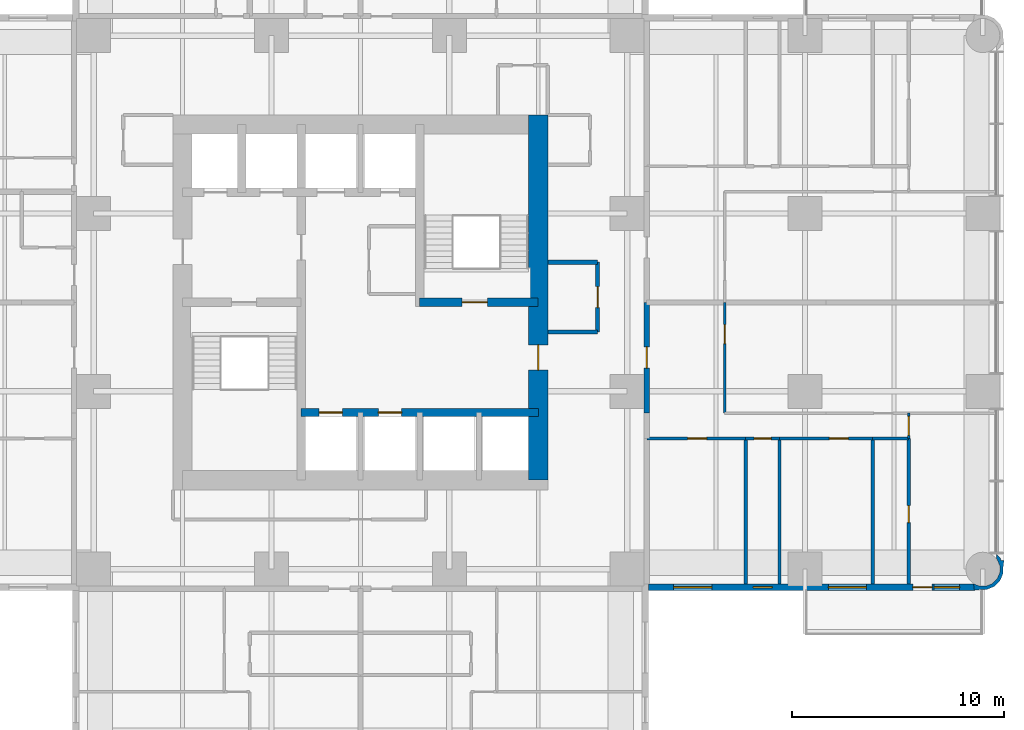
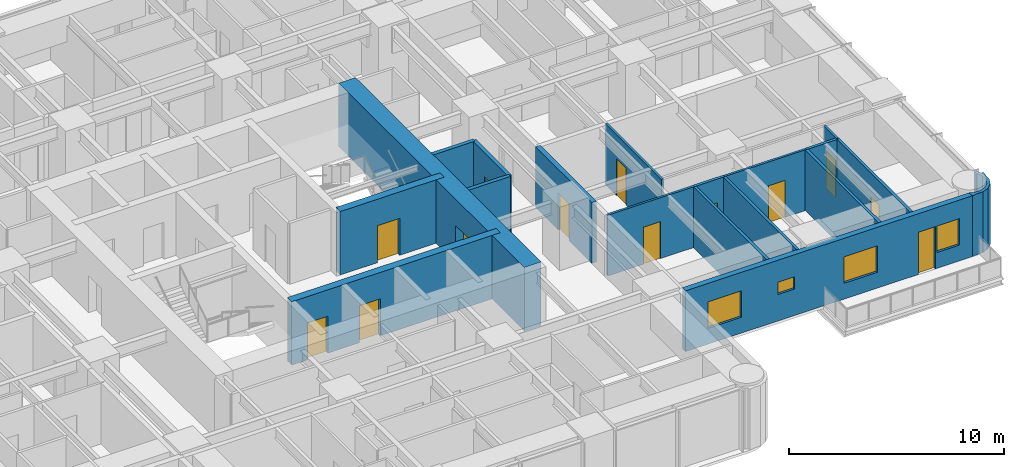
# One storey, part 9 of 14: 19 walls, 13 doors, 4 windows, 17 openings.
"""IFC4 building model written with IfcOpenShell, lengths in metres."""

from ifc_helpers import new_model, si_unit, direction, frame, frame_2d, origin, place, context, subcontext, project, spatial, polyline, rectangle, outline, extrude, material, layer, layer_set, type_object, element, fill, save


model = new_model("IFC4")

# Units and contexts
model_context = context("Model", 3, precision=1e-05, world=origin(), true_north=direction((0.0, 1.0)))
body_context = subcontext(model_context, "Body", "Model", "MODEL_VIEW")
ifc_project = project(units=[si_unit("LENGTHUNIT", "METRE"), si_unit("AREAUNIT", "SQUARE_METRE"), si_unit("VOLUMEUNIT", "CUBIC_METRE"), si_unit("PLANEANGLEUNIT", "RADIAN"), si_unit("MASSUNIT", "GRAM", prefix="KILO")], contexts=[model_context])

# Site, building, storey
site_placement = place(None, origin())
site = spatial("IfcSite", under=ifc_project, at=site_placement, CompositionType="ELEMENT")
building_placement = place(site_placement, origin())
building = spatial("IfcBuilding", under=site, at=building_placement, Name="Torre Alcanfor", CompositionType="ELEMENT")
storey_placement = place(building_placement, frame((0.0, 0.0, 130.5)))
storey = spatial("IfcBuildingStorey", under=building, at=storey_placement, Name="L33", CompositionType="ELEMENT", Elevation=130.5)

# Wall, opening, door
ifc_material_1 = material(Name="Concrete block masonry, hollow blocks NMX-C-404 9 MPa", Category="masonry")
ifc_layer_1 = layer(ifc_material_1, 0.25)
ifc_layer_set_1 = layer_set([ifc_layer_1], Name="Apartment entrance wall 250 EI 60")
wall_type_1 = type_object("IfcWallType", Name="Apartment entrance wall 250 EI 60", PredefinedType="PARTITIONING", material=ifc_layer_set_1)
wall_1_placement = place(storey_placement, frame((42.925048828125, 29.39990234375, 0.0), z_axis=(0.0, 0.0, 1.0), x_axis=(0.0, -1.0, 0.0)))
wall_1 = element("IfcWall", 1, at=wall_1_placement, inside=storey, type_object=wall_type_1, Name="Partition L33-CORR / L33-E2-ZAG", PredefinedType="PARTITIONING", context=body_context, shape_type="SweptSolid", body=[
    extrude(rectangle(XDim=5.22900390625, YDim=0.25, at=frame_2d((2.614501953125, 0.0))), origin(), (0.0, 0.0, 1.0), 3.449951171875),
])
opening_1_placement = place(wall_1_placement, frame((2.10009765625, 0.0, 0.0)))
opening_1 = element("IfcOpeningElement", 2, at=opening_1_placement, cuts=wall_1, Name="Opening D-A1", PredefinedType="OPENING", context=body_context, shape_type="SweptSolid", body=[
    extrude(rectangle(XDim=1.0, YDim=2.10009765625, at=frame_2d((0.5, 1.050048828125))), frame((0.0, 0.135009765625, 0.0), z_axis=(0.0, -1.0, 0.0), x_axis=(1.0, 0.0, 0.0)), (0.0, 0.0, 1.0), 0.27001953125),
])
ifc_material_2 = material(Name="Galvanised steel sheet ASTM A653", Category="steel")
door_type_1 = type_object("IfcDoorType", Name="Apartment entrance door FD60 1000x2100", OperationType="SINGLE_SWING_LEFT", PredefinedType="DOOR", material=ifc_material_2)
door_1_placement = place(opening_1_placement, origin())
door_1 = element("IfcDoor", 3, at=door_1_placement, inside=storey, type_object=door_type_1, Name="Apartment entrance L33-E2", OperationType="SINGLE_SWING_LEFT", OverallHeight=2.10009765625, OverallWidth=1.0, PredefinedType="DOOR", context=body_context, shape_type="SweptSolid", body=[
    extrude(rectangle(XDim=1.0, YDim=2.10009765625, at=frame_2d((0.5, 1.050048828125))), frame((0.0, 0.02490234375, 0.0), z_axis=(0.0, -1.0, 0.0), x_axis=(1.0, 0.0, 0.0)), (0.0, 0.0, 1.0), 0.050048828125),
])
fill(opening_1, door_1)

ifc_material_3 = material(Name="Gypsum board on steel studs", Category="steel")
ifc_layer_2 = layer(ifc_material_3, 0.1201171875)
ifc_layer_set_2 = layer_set([ifc_layer_2], Name="Apartment partition 120")
wall_type_2 = type_object("IfcWallType", Name="Apartment partition 120", PredefinedType="PARTITIONING", material=ifc_layer_set_2)
wall_2_placement = place(storey_placement, frame((46.60009765625, 29.39990234375, 0.0), z_axis=(0.0, 0.0, 1.0), x_axis=(0.0, -1.0, 0.0)))
wall_2 = element("IfcWall", 4, at=wall_2_placement, inside=storey, type_object=wall_type_2, Name="Partition L33-E2-ZAG / L33-E2-KITCHEN", PredefinedType="PARTITIONING", context=body_context, shape_type="SweptSolid", body=[
    extrude(rectangle(XDim=5.22900390625, YDim=0.1201171875, at=frame_2d((2.614501953125, 0.0))), origin(), (0.0, 0.0, 1.0), 3.449951171875),
])
opening_2_placement = place(wall_2_placement, frame((1.050048828125, 0.0, 0.0)))
opening_2 = element("IfcOpeningElement", 5, at=opening_2_placement, cuts=wall_2, Name="Opening D-R1", PredefinedType="OPENING", context=body_context, shape_type="SweptSolid", body=[
    extrude(rectangle(XDim=0.89990234375, YDim=2.10009765625, at=frame_2d((0.449951171875, 1.050048828125))), frame((0.0, 0.070068359375, 0.0), z_axis=(0.0, -1.0, 0.0), x_axis=(1.0, 0.0, 0.0)), (0.0, 0.0, 1.0), 0.14013671875),
])
ifc_material_4 = material(Name="Timber", Category="wood")
door_type_2 = type_object("IfcDoorType", Name="Internal door 900x2100", OperationType="SINGLE_SWING_LEFT", PredefinedType="DOOR", material=ifc_material_4)
door_2_placement = place(opening_2_placement, origin())
door_2 = element("IfcDoor", 6, at=door_2_placement, inside=storey, type_object=door_type_2, Name="Door L33-E2 kitchen", OperationType="SINGLE_SWING_LEFT", OverallHeight=2.10009765625, OverallWidth=0.89990234375, PredefinedType="DOOR", context=body_context, shape_type="SweptSolid", body=[
    extrude(rectangle(XDim=0.89990234375, YDim=2.10009765625, at=frame_2d((0.449951171875, 1.050048828125))), frame((0.0, 0.02490234375, 0.0), z_axis=(0.0, -1.0, 0.0), x_axis=(1.0, 0.0, 0.0)), (0.0, 0.0, 1.0), 0.050048828125),
])
fill(opening_2, door_2)

wall_3_placement = place(storey_placement, frame((47.60009765625, 22.970947265625, 0.0), z_axis=(0.0, 0.0, 1.0), x_axis=(-1.0, 0.0, 0.0)))
wall_3 = element("IfcWall", 7, at=wall_3_placement, inside=storey, type_object=wall_type_2, Name="Partition L33-E2-HALL / L33-E2-BED3", PredefinedType="PARTITIONING", context=body_context, shape_type="SweptSolid", body=[
    extrude(rectangle(XDim=4.675048828125, YDim=0.1201171875, at=frame_2d((2.33740234375, 0.0))), origin(), (0.0, 0.0, 1.0), 3.449951171875),
])
opening_3_placement = place(wall_3_placement, frame((1.85009765625, 0.0, 0.0)))
opening_3 = element("IfcOpeningElement", 8, at=opening_3_placement, cuts=wall_3, Name="Opening D-R1", PredefinedType="OPENING", context=body_context, shape_type="SweptSolid", body=[
    extrude(rectangle(XDim=0.89990234375, YDim=2.10009765625, at=frame_2d((0.449951171875, 1.050048828125))), frame((0.0, 0.070068359375, 0.0), z_axis=(0.0, -1.0, 0.0), x_axis=(1.0, 0.0, 0.0)), (0.0, 0.0, 1.0), 0.14013671875),
])
door_3_placement = place(opening_3_placement, origin())
door_3 = element("IfcDoor", 9, at=door_3_placement, inside=storey, type_object=door_type_2, Name="Door L33-E2 bed3", OperationType="SINGLE_SWING_LEFT", OverallHeight=2.10009765625, OverallWidth=0.89990234375, PredefinedType="DOOR", context=body_context, shape_type="SweptSolid", body=[
    extrude(rectangle(XDim=0.89990234375, YDim=2.10009765625, at=frame_2d((0.449951171875, 1.050048828125))), frame((0.0, 0.02490234375, 0.0), z_axis=(0.0, -1.0, 0.0), x_axis=(1.0, 0.0, 0.0)), (0.0, 0.0, 1.0), 0.050048828125),
])
fill(opening_3, door_3)

wall_4_placement = place(storey_placement, frame((53.60009765625, 22.970947265625, 0.0), z_axis=(0.0, 0.0, 1.0), x_axis=(-1.0, 0.0, 0.0)))
wall_4 = element("IfcWall", 10, at=wall_4_placement, inside=storey, type_object=wall_type_2, Name="Partition L33-E2-HALL / L33-E2-BED2", PredefinedType="PARTITIONING", context=body_context, shape_type="SweptSolid", body=[
    extrude(rectangle(XDim=4.400146484375, YDim=0.1201171875, at=frame_2d((2.2001953125, 0.0))), origin(), (0.0, 0.0, 1.0), 3.449951171875),
])
opening_4_placement = place(wall_4_placement, frame((1.14990234375, 0.0, 0.0)))
opening_4 = element("IfcOpeningElement", 11, at=opening_4_placement, cuts=wall_4, Name="Opening D-R1", PredefinedType="OPENING", context=body_context, shape_type="SweptSolid", body=[
    extrude(rectangle(XDim=0.89990234375, YDim=2.10009765625, at=frame_2d((0.449951171875, 1.050048828125))), frame((0.0, 0.070068359375, 0.0), z_axis=(0.0, -1.0, 0.0), x_axis=(1.0, 0.0, 0.0)), (0.0, 0.0, 1.0), 0.14013671875),
])
door_4_placement = place(opening_4_placement, origin())
door_4 = element("IfcDoor", 12, at=door_4_placement, inside=storey, type_object=door_type_2, Name="Door L33-E2 bed2", OperationType="SINGLE_SWING_LEFT", OverallHeight=2.10009765625, OverallWidth=0.89990234375, PredefinedType="DOOR", context=body_context, shape_type="SweptSolid", body=[
    extrude(rectangle(XDim=0.89990234375, YDim=2.10009765625, at=frame_2d((0.449951171875, 1.050048828125))), frame((0.0, 0.02490234375, 0.0), z_axis=(0.0, -1.0, 0.0), x_axis=(1.0, 0.0, 0.0)), (0.0, 0.0, 1.0), 0.050048828125),
])
fill(opening_4, door_4)

wall_5_placement = place(storey_placement, frame((55.300048828125, 24.1708984375, 0.0), z_axis=(0.0, 0.0, 1.0), x_axis=(0.0, -1.0, 0.0)))
wall_5 = element("IfcWall", 13, at=wall_5_placement, inside=storey, type_object=wall_type_2, Name="Partition L33-E2-HALL / L33-E2-MASTER", PredefinedType="PARTITIONING", context=body_context, shape_type="SweptSolid", body=[
    extrude(rectangle(XDim=1.199951171875, YDim=0.1201171875, at=frame_2d((0.60009765625, 0.0))), origin(), (0.0, 0.0, 1.0), 3.449951171875),
])
opening_5_placement = place(wall_5_placement, frame((0.15087890625, 0.0, 0.0)))
opening_5 = element("IfcOpeningElement", 14, at=opening_5_placement, cuts=wall_5, Name="Opening D-R1", PredefinedType="OPENING", context=body_context, shape_type="SweptSolid", body=[
    extrude(rectangle(XDim=0.89990234375, YDim=2.10009765625, at=frame_2d((0.449951171875, 1.050048828125))), frame((0.0, 0.070068359375, 0.0), z_axis=(0.0, -1.0, 0.0), x_axis=(1.0, 0.0, 0.0)), (0.0, 0.0, 1.0), 0.14013671875),
])
door_5_placement = place(opening_5_placement, origin())
door_5 = element("IfcDoor", 15, at=door_5_placement, inside=storey, type_object=door_type_2, Name="Door L33-E2 master", OperationType="SINGLE_SWING_LEFT", OverallHeight=2.10009765625, OverallWidth=0.89990234375, PredefinedType="DOOR", context=body_context, shape_type="SweptSolid", body=[
    extrude(rectangle(XDim=0.89990234375, YDim=2.10009765625, at=frame_2d((0.449951171875, 1.050048828125))), frame((0.0, 0.02490234375, 0.0), z_axis=(0.0, -1.0, 0.0), x_axis=(1.0, 0.0, 0.0)), (0.0, 0.0, 1.0), 0.050048828125),
])
fill(opening_5, door_5)

# Wall, openings, doors
ifc_material_5 = material(Name="Concrete f'c 70 MPa", Category="concrete")
ifc_layer_3 = layer(ifc_material_5, 0.39990234375)
ifc_layer_set_3 = layer_set([ifc_layer_3], Name="Core inner wall 400 f'c70")
wall_type_3 = type_object("IfcWallType", Name="Core inner wall 400 f'c70", PredefinedType="SHEAR", material=ifc_layer_set_3)
wall_6_placement = place(storey_placement, frame((26.60009765625, 24.199951171875, 0.0), z_axis=(0.0, 0.0, 1.0), x_axis=(1.0, 0.0, 0.0)))
wall_6 = element("IfcWall", 16, at=wall_6_placement, inside=storey, type_object=wall_type_3, Name="Core wall Y242 L33", PredefinedType="SHEAR", context=body_context, shape_type="SweptSolid", body=[
    extrude(rectangle(XDim=11.199951171875, YDim=0.39990234375, at=frame_2d((5.60009765625, 0.0))), origin(), (0.0, 0.0, 1.0), 3.60009765625),
])
opening_6_placement = place(wall_6_placement, frame((0.85009765625, 0.0, 0.0)))
opening_6 = element("IfcOpeningElement", 17, at=opening_6_placement, cuts=wall_6, Name="Opening LD1", PredefinedType="OPENING", context=body_context, shape_type="SweptSolid", body=[
    extrude(rectangle(XDim=1.10009765625, YDim=2.10009765625, at=frame_2d((0.550048828125, 1.050048828125))), frame((0.0, 0.2099609375, 0.0), z_axis=(0.0, -1.0, 0.0), x_axis=(1.0, 0.0, 0.0)), (0.0, 0.0, 1.0), 0.419921875),
])
opening_7_placement = place(wall_6_placement, frame((3.64990234375, 0.0, 0.0)))
opening_7 = element("IfcOpeningElement", 18, at=opening_7_placement, cuts=wall_6, Name="Opening LD1", PredefinedType="OPENING", context=body_context, shape_type="SweptSolid", body=[
    extrude(rectangle(XDim=1.10009765625, YDim=2.10009765625, at=frame_2d((0.550048828125, 1.050048828125))), frame((0.0, 0.2099609375, 0.0), z_axis=(0.0, -1.0, 0.0), x_axis=(1.0, 0.0, 0.0)), (0.0, 0.0, 1.0), 0.419921875),
])
ifc_material_6 = material(Name="Galvanised steel sheet ASTM A653", Category="steel")
door_type_3 = type_object("IfcDoorType", Name="Lift landing door 1100x2100", OperationType="DOUBLE_DOOR_SLIDING", PredefinedType="DOOR", material=ifc_material_6)
door_6_placement = place(opening_6_placement, origin())
door_6 = element("IfcDoor", 19, at=door_6_placement, inside=storey, type_object=door_type_3, Name="Lift landing door PA1 L33", OperationType="DOUBLE_DOOR_SLIDING", OverallHeight=2.10009765625, OverallWidth=1.10009765625, PredefinedType="DOOR", context=body_context, shape_type="SweptSolid", body=[
    extrude(rectangle(XDim=1.10009765625, YDim=2.10009765625, at=frame_2d((0.550048828125, 1.050048828125))), frame((0.0, 0.02490234375, 0.0), z_axis=(0.0, -1.0, 0.0), x_axis=(1.0, 0.0, 0.0)), (0.0, 0.0, 1.0), 0.050048828125),
])
fill(opening_6, door_6)
door_7_placement = place(opening_7_placement, origin())
door_7 = element("IfcDoor", 20, at=door_7_placement, inside=storey, type_object=door_type_3, Name="Lift landing door PA2 L33", OperationType="DOUBLE_DOOR_SLIDING", OverallHeight=2.10009765625, OverallWidth=1.10009765625, PredefinedType="DOOR", context=body_context, shape_type="SweptSolid", body=[
    extrude(rectangle(XDim=1.10009765625, YDim=2.10009765625, at=frame_2d((0.550048828125, 1.050048828125))), frame((0.0, 0.02490234375, 0.0), z_axis=(0.0, -1.0, 0.0), x_axis=(1.0, 0.0, 0.0)), (0.0, 0.0, 1.0), 0.050048828125),
])
fill(opening_7, door_7)

# Wall, opening, door
wall_7_placement = place(storey_placement, frame((32.199951171875, 29.39990234375, 0.0), z_axis=(0.0, 0.0, 1.0), x_axis=(1.0, 0.0, 0.0)))
wall_7 = element("IfcWall", 21, at=wall_7_placement, inside=storey, type_object=wall_type_3, Name="Core wall Y294E L33", PredefinedType="SHEAR", context=body_context, shape_type="SweptSolid", body=[
    extrude(rectangle(XDim=5.60009765625, YDim=0.39990234375, at=frame_2d((2.800048828125, 0.0))), origin(), (0.0, 0.0, 1.0), 3.60009765625),
])
opening_8_placement = place(wall_7_placement, frame((2.0, 0.0, 0.0)))
opening_8 = element("IfcOpeningElement", 22, at=opening_8_placement, cuts=wall_7, Name="Opening D-S2", PredefinedType="OPENING", context=body_context, shape_type="SweptSolid", body=[
    extrude(rectangle(XDim=1.199951171875, YDim=2.10009765625, at=frame_2d((0.60009765625, 1.050048828125))), frame((0.0, 0.2099609375, 0.0), z_axis=(0.0, -1.0, 0.0), x_axis=(1.0, 0.0, 0.0)), (0.0, 0.0, 1.0), 0.419921875),
])
ifc_material_7 = material(Name="Galvanised steel sheet ASTM A653", Category="steel")
door_type_4 = type_object("IfcDoorType", Name="Stair enclosure door FD120 1200x2100", OperationType="SINGLE_SWING_LEFT", PredefinedType="DOOR", material=ifc_material_7)
door_8_placement = place(opening_8_placement, origin())
door_8 = element("IfcDoor", 23, at=door_8_placement, inside=storey, type_object=door_type_4, Name="Stair S2 door L33", OperationType="SINGLE_SWING_LEFT", OverallHeight=2.10009765625, OverallWidth=1.199951171875, PredefinedType="DOOR", context=body_context, shape_type="SweptSolid", body=[
    extrude(rectangle(XDim=1.199951171875, YDim=2.10009765625, at=frame_2d((0.60009765625, 1.050048828125))), frame((0.0, 0.02490234375, 0.0), z_axis=(0.0, -1.0, 0.0), x_axis=(1.0, 0.0, 0.0)), (0.0, 0.0, 1.0), 0.050048828125),
])
fill(opening_8, door_8)

ifc_material_8 = material(Name="Concrete f'c 70 MPa", Category="concrete")
ifc_layer_4 = layer(ifc_material_8, 0.89990234375)
ifc_layer_set_4 = layer_set([ifc_layer_4], Name="Core wall 900 f'c70")
wall_type_4 = type_object("IfcWallType", Name="Core wall 900 f'c70", PredefinedType="SHEAR", material=ifc_layer_set_4)
wall_8_placement = place(storey_placement, frame((37.800048828125, 21.0, 0.0), z_axis=(0.0, 0.0, 1.0), x_axis=(0.0, 1.0, 0.0)))
wall_8 = element("IfcWall", 24, at=wall_8_placement, inside=storey, type_object=wall_type_4, Name="Core wall OUT-E L33", PredefinedType="SHEAR", context=body_context, shape_type="SweptSolid", body=[
    extrude(rectangle(XDim=17.25, YDim=0.89990234375, at=frame_2d((8.625, 0.0))), origin(), (0.0, 0.0, 1.0), 3.60009765625),
])
opening_9_placement = place(wall_8_placement, frame((5.199951171875, 0.0, 0.0)))
opening_9 = element("IfcOpeningElement", 25, at=opening_9_placement, cuts=wall_8, Name="Opening D-L1", PredefinedType="OPENING", context=body_context, shape_type="SweptSolid", body=[
    extrude(rectangle(XDim=1.199951171875, YDim=2.10009765625, at=frame_2d((0.60009765625, 1.050048828125))), frame((0.0, 0.4599609375, 0.0), z_axis=(0.0, -1.0, 0.0), x_axis=(1.0, 0.0, 0.0)), (0.0, 0.0, 1.0), 0.919921875),
])
ifc_material_9 = material(Name="Galvanised steel sheet ASTM A653", Category="steel")
door_type_5 = type_object("IfcDoorType", Name="Lobby door FD120 1200x2100", OperationType="SINGLE_SWING_LEFT", PredefinedType="DOOR", material=ifc_material_9)
door_9_placement = place(opening_9_placement, origin())
door_9 = element("IfcDoor", 26, at=door_9_placement, inside=storey, type_object=door_type_5, Name="Lift lobby entrance door L33", OperationType="SINGLE_SWING_LEFT", OverallHeight=2.10009765625, OverallWidth=1.199951171875, PredefinedType="DOOR", context=body_context, shape_type="SweptSolid", body=[
    extrude(rectangle(XDim=1.199951171875, YDim=2.10009765625, at=frame_2d((0.60009765625, 1.050048828125))), frame((0.0, 0.02490234375, 0.0), z_axis=(0.0, -1.0, 0.0), x_axis=(1.0, 0.0, 0.0)), (0.0, 0.0, 1.0), 0.050048828125),
])
fill(opening_9, door_9)

# Wall, openings, door, windows
ifc_material_10 = material(Name="Limestone cladding", Category="masonry")
ifc_layer_5 = layer(ifc_material_10, 0.0400390625, Name="Facing")
ifc_material_11 = material(Name="Ventilated air cavity")
ifc_layer_6 = layer(ifc_material_11, 0.02001953125, ventilated=True, Name="Ventilated joint")
ifc_material_12 = material(Name="Mineral wool insulation", Category="insulation")
ifc_layer_7 = layer(ifc_material_12, 0.10009765625, Name="Insulation")
ifc_material_13 = material(Name="Concrete f'c 35 MPa", Category="concrete")
ifc_layer_8 = layer(ifc_material_13, 0.139892578125, Name="Backing")
ifc_layer_set_5 = layer_set([ifc_layer_5, ifc_layer_6, ifc_layer_7, ifc_layer_8], Name="External wall stone-clad 300")
wall_type_5 = type_object("IfcWallType", Name="External wall stone-clad 300", PredefinedType="SOLIDWALL", material=ifc_layer_set_5)
wall_9_placement = place(storey_placement, frame((43.0, 15.949951171875, 0.0), z_axis=(0.0, 0.0, 1.0), x_axis=(1.0, 0.0, 0.0)))
wall_9 = element("IfcWall", 27, at=wall_9_placement, inside=storey, type_object=wall_type_5, Name="External wall L33 7", PredefinedType="SOLIDWALL", context=body_context, shape_type="SweptSolid", body=[
    extrude(rectangle(XDim=15.39990234375, YDim=0.300048828125, at=frame_2d((7.699951171875, 0.0))), origin(), (0.0, 0.0, 1.0), 3.449951171875),
])
opening_10_placement = place(wall_9_placement, frame((1.199951171875, 0.0, 0.89990234375)))
opening_10 = element("IfcOpeningElement", 28, at=opening_10_placement, cuts=wall_9, Name="Opening W2", PredefinedType="OPENING", context=body_context, shape_type="SweptSolid", body=[
    extrude(rectangle(XDim=1.800048828125, YDim=1.5, at=frame_2d((0.89990234375, 0.75))), frame((0.0, 0.159912109375, 0.0), z_axis=(0.0, -1.0, 0.0), x_axis=(1.0, 0.0, 0.0)), (0.0, 0.0, 1.0), 0.320068359375),
])
opening_11_placement = place(wall_9_placement, frame((4.949951171875, 0.0, 1.5)))
opening_11 = element("IfcOpeningElement", 29, at=opening_11_placement, cuts=wall_9, Name="Opening W3", PredefinedType="OPENING", context=body_context, shape_type="SweptSolid", body=[
    extrude(rectangle(XDim=0.89990234375, YDim=0.699951171875, at=frame_2d((0.449951171875, 0.35009765625))), frame((0.0, 0.159912109375, 0.0), z_axis=(0.0, -1.0, 0.0), x_axis=(1.0, 0.0, 0.0)), (0.0, 0.0, 1.0), 0.320068359375),
])
opening_12_placement = place(wall_9_placement, frame((8.5, 0.0, 0.89990234375)))
opening_12 = element("IfcOpeningElement", 30, at=opening_12_placement, cuts=wall_9, Name="Opening W2", PredefinedType="OPENING", context=body_context, shape_type="SweptSolid", body=[
    extrude(rectangle(XDim=1.800048828125, YDim=1.5, at=frame_2d((0.89990234375, 0.75))), frame((0.0, 0.159912109375, 0.0), z_axis=(0.0, -1.0, 0.0), x_axis=(1.0, 0.0, 0.0)), (0.0, 0.0, 1.0), 0.320068359375),
])
opening_13_placement = place(wall_9_placement, frame((12.5, 0.0, 0.0)))
opening_13 = element("IfcOpeningElement", 31, at=opening_13_placement, cuts=wall_9, Name="Opening D-B1", PredefinedType="OPENING", context=body_context, shape_type="SweptSolid", body=[
    extrude(rectangle(XDim=0.89990234375, YDim=2.39990234375, at=frame_2d((0.449951171875, 1.199951171875))), frame((0.0, 0.159912109375, 0.0), z_axis=(0.0, -1.0, 0.0), x_axis=(1.0, 0.0, 0.0)), (0.0, 0.0, 1.0), 0.320068359375),
])
opening_14_placement = place(wall_9_placement, frame((13.5, 0.0, 0.89990234375)))
opening_14 = element("IfcOpeningElement", 32, at=opening_14_placement, cuts=wall_9, Name="Opening W4", PredefinedType="OPENING", context=body_context, shape_type="SweptSolid", body=[
    extrude(rectangle(XDim=1.199951171875, YDim=1.5, at=frame_2d((0.60009765625, 0.75))), frame((0.0, 0.159912109375, 0.0), z_axis=(0.0, -1.0, 0.0), x_axis=(1.0, 0.0, 0.0)), (0.0, 0.0, 1.0), 0.320068359375),
])
ifc_material_14 = material(Name="Aluminium and glass", Category="aluminium")
door_type_6 = type_object("IfcDoorType", Name="Balcony door glazed 900x2400", OperationType="SINGLE_SWING_LEFT", PredefinedType="DOOR", material=ifc_material_14)
door_10_placement = place(opening_13_placement, origin())
door_10 = element("IfcDoor", 33, at=door_10_placement, inside=storey, type_object=door_type_6, Name="Balcony door L33-E2", OperationType="SINGLE_SWING_LEFT", OverallHeight=2.39990234375, OverallWidth=0.89990234375, PredefinedType="DOOR", context=body_context, shape_type="SweptSolid", body=[
    extrude(rectangle(XDim=0.89990234375, YDim=2.39990234375, at=frame_2d((0.449951171875, 1.199951171875))), frame((0.0, 0.02490234375, 0.0), z_axis=(0.0, -1.0, 0.0), x_axis=(1.0, 0.0, 0.0)), (0.0, 0.0, 1.0), 0.050048828125),
])
fill(opening_13, door_10)
ifc_material_15 = material(Name="Aluminium frame with clear double glazing", Category="aluminium")
window_type_1 = type_object("IfcWindowType", Name="Window bathroom 900x700", PartitioningType="SINGLE_PANEL", PredefinedType="WINDOW", material=ifc_material_15)
window_1_placement = place(opening_11_placement, origin())
window_1 = element("IfcWindow", 34, at=window_1_placement, inside=storey, type_object=window_type_1, Name="Window W3 L33-E2", OverallHeight=0.699951171875, OverallWidth=0.89990234375, PartitioningType="SINGLE_PANEL", PredefinedType="WINDOW", context=body_context, shape_type="SweptSolid", body=[
    extrude(rectangle(XDim=0.89990234375, YDim=0.699951171875, at=frame_2d((0.449951171875, 0.35009765625))), frame((0.0, 0.030029296875, 0.0), z_axis=(0.0, -1.0, 0.0), x_axis=(1.0, 0.0, 0.0)), (0.0, 0.0, 1.0), 0.06005859375),
])
fill(opening_11, window_1)
ifc_material_16 = material(Name="Aluminium frame with clear double glazing", Category="aluminium")
window_type_2 = type_object("IfcWindowType", Name="Window bedroom 1200x1500", PartitioningType="SINGLE_PANEL", PredefinedType="WINDOW", material=ifc_material_16)
window_2_placement = place(opening_14_placement, origin())
window_2 = element("IfcWindow", 35, at=window_2_placement, inside=storey, type_object=window_type_2, Name="Window W4 L33-E2", OverallHeight=1.5, OverallWidth=1.199951171875, PartitioningType="SINGLE_PANEL", PredefinedType="WINDOW", context=body_context, shape_type="SweptSolid", body=[
    extrude(rectangle(XDim=1.199951171875, YDim=1.5, at=frame_2d((0.60009765625, 0.75))), frame((0.0, 0.030029296875, 0.0), z_axis=(0.0, -1.0, 0.0), x_axis=(1.0, 0.0, 0.0)), (0.0, 0.0, 1.0), 0.06005859375),
])
fill(opening_14, window_2)
ifc_material_17 = material(Name="Aluminium frame with clear double glazing", Category="aluminium")
window_type_3 = type_object("IfcWindowType", Name="Window bedroom 1800x1500", PartitioningType="SINGLE_PANEL", PredefinedType="WINDOW", material=ifc_material_17)
window_3_placement = place(opening_10_placement, origin())
window_3 = element("IfcWindow", 36, at=window_3_placement, inside=storey, type_object=window_type_3, Name="Window W2 L33-E2", OverallHeight=1.5, OverallWidth=1.800048828125, PartitioningType="SINGLE_PANEL", PredefinedType="WINDOW", context=body_context, shape_type="SweptSolid", body=[
    extrude(rectangle(XDim=1.800048828125, YDim=1.5, at=frame_2d((0.89990234375, 0.75))), frame((0.0, 0.030029296875, 0.0), z_axis=(0.0, -1.0, 0.0), x_axis=(1.0, 0.0, 0.0)), (0.0, 0.0, 1.0), 0.06005859375),
])
fill(opening_10, window_3)
window_4_placement = place(opening_12_placement, origin())
window_4 = element("IfcWindow", 37, at=window_4_placement, inside=storey, type_object=window_type_3, Name="Window W2 L33-E2", OverallHeight=1.5, OverallWidth=1.800048828125, PartitioningType="SINGLE_PANEL", PredefinedType="WINDOW", context=body_context, shape_type="SweptSolid", body=[
    extrude(rectangle(XDim=1.800048828125, YDim=1.5, at=frame_2d((0.89990234375, 0.75))), frame((0.0, 0.030029296875, 0.0), z_axis=(0.0, -1.0, 0.0), x_axis=(1.0, 0.0, 0.0)), (0.0, 0.0, 1.0), 0.06005859375),
])
fill(opening_12, window_4)

# Wall
ifc_material_18 = material(Name="Concrete block masonry, hollow blocks NMX-C-404 9 MPa", Category="masonry")
ifc_layer_9 = layer(ifc_material_18, 0.199951171875)
ifc_layer_set_6 = layer_set([ifc_layer_9], Name="Plant room wall 200 EI 60")
wall_type_6 = type_object("IfcWallType", Name="Plant room wall 200 EI 60", PredefinedType="PARTITIONING", material=ifc_layer_set_6)
wall_10_placement = place(storey_placement, frame((38.25, 28.0, 0.0), z_axis=(0.0, 0.0, 1.0), x_axis=(1.0, 0.0, 0.0)))
element("IfcWall", 38, at=wall_10_placement, inside=storey, type_object=wall_type_6, Name="Partition L33-CORR / L33-G02", PredefinedType="PARTITIONING", context=body_context, shape_type="SweptSolid", body=[
    extrude(rectangle(XDim=2.35009765625, YDim=0.199951171875, at=frame_2d((1.175048828125, 0.0))), origin(), (0.0, 0.0, 1.0), 3.449951171875),
])

# Wall, opening, door
wall_11_placement = place(storey_placement, frame((40.60009765625, 28.0, 0.0), z_axis=(0.0, 0.0, 1.0), x_axis=(0.0, 1.0, 0.0)))
wall_11 = element("IfcWall", 39, at=wall_11_placement, inside=storey, type_object=wall_type_6, Name="Partition L33-CORR / L33-G02", PredefinedType="PARTITIONING", context=body_context, shape_type="SweptSolid", body=[
    extrude(rectangle(XDim=3.300048828125, YDim=0.199951171875, at=frame_2d((1.64990234375, 0.0))), origin(), (0.0, 0.0, 1.0), 3.449951171875),
])
opening_15_placement = place(wall_11_placement, frame((1.14990234375, 0.0, 0.0)))
opening_15 = element("IfcOpeningElement", 40, at=opening_15_placement, cuts=wall_11, Name="Opening D-K1", PredefinedType="OPENING", context=body_context, shape_type="SweptSolid", body=[
    extrude(rectangle(XDim=1.0, YDim=2.10009765625, at=frame_2d((0.5, 1.050048828125))), frame((0.0, 0.10986328125, 0.0), z_axis=(0.0, -1.0, 0.0), x_axis=(1.0, 0.0, 0.0)), (0.0, 0.0, 1.0), 0.219970703125),
])
ifc_material_19 = material(Name="Galvanised steel sheet ASTM A653", Category="steel")
door_type_7 = type_object("IfcDoorType", Name="Core room door FD60 1000x2100", OperationType="SINGLE_SWING_LEFT", PredefinedType="DOOR", material=ifc_material_19)
door_11_placement = place(opening_15_placement, origin())
door_11 = element("IfcDoor", 41, at=door_11_placement, inside=storey, type_object=door_type_7, Name="Door L33-G02 refuse and recycling store", OperationType="SINGLE_SWING_LEFT", OverallHeight=2.10009765625, OverallWidth=1.0, PredefinedType="DOOR", context=body_context, shape_type="SweptSolid", body=[
    extrude(rectangle(XDim=1.0, YDim=2.10009765625, at=frame_2d((0.5, 1.050048828125))), frame((0.0, 0.02490234375, 0.0), z_axis=(0.0, -1.0, 0.0), x_axis=(1.0, 0.0, 0.0)), (0.0, 0.0, 1.0), 0.050048828125),
])
fill(opening_15, door_11)

# Walls
wall_12_placement = place(storey_placement, frame((40.60009765625, 31.300048828125, 0.0), z_axis=(0.0, 0.0, 1.0), x_axis=(-1.0, 0.0, 0.0)))
element("IfcWall", 42, at=wall_12_placement, inside=storey, type_object=wall_type_6, Name="Partition L33-CORR / L33-G02", PredefinedType="PARTITIONING", context=body_context, shape_type="SweptSolid", body=[
    extrude(rectangle(XDim=2.35009765625, YDim=0.199951171875, at=frame_2d((1.175048828125, 0.0))), origin(), (0.0, 0.0, 1.0), 3.449951171875),
])
ifc_layer_10 = layer(ifc_material_10, 0.0400390625, Name="Facing")
ifc_layer_11 = layer(ifc_material_11, 0.02001953125, ventilated=True, Name="Ventilated joint")
ifc_layer_12 = layer(ifc_material_12, 0.10009765625, Name="Insulation")
ifc_layer_13 = layer(ifc_material_13, 0.139892578125, Name="Backing")
ifc_layer_set_7 = layer_set([ifc_layer_10, ifc_layer_11, ifc_layer_12, ifc_layer_13], Name="Rounded corner pier stone-clad 300")
wall_type_7 = type_object("IfcWallType", Name="Rounded corner pier stone-clad 300", PredefinedType="SOLIDWALL", material=ifc_layer_set_7)
wall_13_placement = place(storey_placement, frame((58.473176205, 15.982940512, 0.0), z_axis=(0.0, 0.0, 1.0), x_axis=(0.93923434088, -0.343276641956, 0.0)))
element("IfcWall", 43, at=wall_13_placement, inside=storey, type_object=wall_type_7, Name="Corner pier L33 17", PredefinedType="SOLIDWALL", context=body_context, shape_type="SweptSolid", body=[
    extrude(outline(polyline([(0.8284730010654036, 1.5985425833407376), (0.696550254150438, 1.5690420941096577), (0.604150309609554, 1.6696580493968027), (0.3940514645210207, 1.7672868618913617), (0.47123842429676593, 1.5560967183488668), (0.5084988752141064, 1.538782517623304), (0.7242236800575332, 1.304144262222244), (0.8335928250166512, 1.004900899222292), (0.8200123708562836, 0.6864548699061994), (0.6857181921193565, 0.39745154052212156), (0.4509961289443815, 0.18195604093769838), (0.15175276594442946, 0.07258689597858048), (-0.11627514476265094, 0.08405951949541965), (-0.12738305855443924, 0.07818018621272643), (-0.1459567845337466, 0.07139175652560875), (-0.006038883692560254, -0.1969313551897346), (0.2657016888450987, -0.05498461418889633), (0.5353646734335612, 0.04357332793518234), (0.8165937238928549, 0.3018001061266741), (0.9775139424010254, 0.6481031205348973), (0.9937655592370759, 1.0296500763704852), (0.8951238093390822, 1.2995423662179517), (0.8284730010654036, 1.5985425833407376)])), origin(), (0.0, 0.0, 1.0), 3.449951171875),
])

# Wall, opening, door
ifc_material_20 = material(Name="Cement board on steel studs", Category="steel")
ifc_layer_14 = layer(ifc_material_20, 0.14990234375)
ifc_layer_set_8 = layer_set([ifc_layer_14], Name="Wet area partition 150")
wall_type_8 = type_object("IfcWallType", Name="Wet area partition 150", PredefinedType="PARTITIONING", material=ifc_layer_set_8)
wall_14_placement = place(storey_placement, frame((49.199951171875, 22.970947265625, 0.0), z_axis=(0.0, 0.0, 1.0), x_axis=(-1.0, 0.0, 0.0)))
wall_14 = element("IfcWall", 44, at=wall_14_placement, inside=storey, type_object=wall_type_8, Name="Partition L33-E2-HALL / L33-E2-BATH1", PredefinedType="PARTITIONING", context=body_context, shape_type="SweptSolid", body=[
    extrude(rectangle(XDim=1.599853515625, YDim=0.14990234375, at=frame_2d((0.7998046875, 0.0))), origin(), (0.0, 0.0, 1.0), 3.449951171875),
])
opening_16_placement = place(wall_14_placement, frame((0.39990234375, 0.0, 0.0)))
opening_16 = element("IfcOpeningElement", 45, at=opening_16_placement, cuts=wall_14, Name="Opening D-R2", PredefinedType="OPENING", context=body_context, shape_type="SweptSolid", body=[
    extrude(rectangle(XDim=0.800048828125, YDim=2.10009765625, at=frame_2d((0.39990234375, 1.050048828125))), frame((0.0, 0.0849609375, 0.0), z_axis=(0.0, -1.0, 0.0), x_axis=(1.0, 0.0, 0.0)), (0.0, 0.0, 1.0), 0.169921875),
])
ifc_material_21 = material(Name="Timber", Category="wood")
door_type_8 = type_object("IfcDoorType", Name="Bathroom door 800x2100", OperationType="SINGLE_SWING_LEFT", PredefinedType="DOOR", material=ifc_material_21)
door_12_placement = place(opening_16_placement, origin())
door_12 = element("IfcDoor", 46, at=door_12_placement, inside=storey, type_object=door_type_8, Name="Door L33-E2 bath1", OperationType="SINGLE_SWING_LEFT", OverallHeight=2.10009765625, OverallWidth=0.800048828125, PredefinedType="DOOR", context=body_context, shape_type="SweptSolid", body=[
    extrude(rectangle(XDim=0.800048828125, YDim=2.10009765625, at=frame_2d((0.39990234375, 1.050048828125))), frame((0.0, 0.02490234375, 0.0), z_axis=(0.0, -1.0, 0.0), x_axis=(1.0, 0.0, 0.0)), (0.0, 0.0, 1.0), 0.050048828125),
])
fill(opening_16, door_12)

# Walls
wall_15_placement = place(storey_placement, frame((55.300048828125, 22.970947265625, 0.0), z_axis=(0.0, 0.0, 1.0), x_axis=(-1.0, 0.0, 0.0)))
element("IfcWall", 47, at=wall_15_placement, inside=storey, type_object=wall_type_8, Name="Partition L33-E2-HALL / L33-E2-ENSBATH", PredefinedType="PARTITIONING", context=body_context, shape_type="SweptSolid", body=[
    extrude(rectangle(XDim=1.699951171875, YDim=0.14990234375, at=frame_2d((0.85009765625, 0.0))), origin(), (0.0, 0.0, 1.0), 3.449951171875),
])
for number, where, z_axis, x_axis, name in (
    (48, (47.60009765625, 22.970947265625, 0.0), (0.0, 0.0, 1.0), (0.0, -1.0, 0.0), "Partition L33-E2-BED3 / L33-E2-BATH1"),
    (49, (49.199951171875, 22.970947265625, 0.0), (0.0, 0.0, 1.0), (0.0, -1.0, 0.0), "Partition L33-E2-BATH1 / L33-E2-BED2"),
    (50, (53.60009765625, 22.970947265625, 0.0), (0.0, 0.0, 1.0), (0.0, -1.0, 0.0), "Partition L33-E2-BED2 / L33-E2-ENSBATH"),
):
    element("IfcWall", number, at=place(storey_placement, frame(where, z_axis=z_axis, x_axis=x_axis)), inside=storey, type_object=wall_type_8, Name=name, PredefinedType="PARTITIONING", context=body_context, shape_type="SweptSolid", body=[
        extrude(rectangle(XDim=6.870849609375, YDim=0.14990234375, at=frame_2d((3.435546875, 0.0))), origin(), (0.0, 0.0, 1.0), 3.449951171875),
    ])

# Wall, opening, door
wall_16_placement = place(storey_placement, frame((55.300048828125, 22.970947265625, 0.0), z_axis=(0.0, 0.0, 1.0), x_axis=(0.0, -1.0, 0.0)))
wall_16 = element("IfcWall", 51, at=wall_16_placement, inside=storey, type_object=wall_type_8, Name="Partition L33-E2-ENSBATH / L33-E2-MASTER", PredefinedType="PARTITIONING", context=body_context, shape_type="SweptSolid", body=[
    extrude(rectangle(XDim=6.870849609375, YDim=0.14990234375, at=frame_2d((3.435546875, 0.0))), origin(), (0.0, 0.0, 1.0), 3.449951171875),
])
opening_17_placement = place(wall_16_placement, frame((3.1708984375, 0.0, 0.0)))
opening_17 = element("IfcOpeningElement", 52, at=opening_17_placement, cuts=wall_16, Name="Opening D-R2", PredefinedType="OPENING", context=body_context, shape_type="SweptSolid", body=[
    extrude(rectangle(XDim=0.800048828125, YDim=2.10009765625, at=frame_2d((0.39990234375, 1.050048828125))), frame((0.0, 0.0849609375, 0.0), z_axis=(0.0, -1.0, 0.0), x_axis=(1.0, 0.0, 0.0)), (0.0, 0.0, 1.0), 0.169921875),
])
door_13_placement = place(opening_17_placement, frame((0.800048828125, 0.0, 0.0), z_axis=(0.0, 0.0, 1.0), x_axis=(-1.0, 0.0, 0.0)))
door_13 = element("IfcDoor", 53, at=door_13_placement, inside=storey, type_object=door_type_8, Name="Door L33-E2 ensbath", OperationType="SINGLE_SWING_LEFT", OverallHeight=2.10009765625, OverallWidth=0.800048828125, PredefinedType="DOOR", context=body_context, shape_type="SweptSolid", body=[
    extrude(rectangle(XDim=0.800048828125, YDim=2.10009765625, at=frame_2d((0.400146484375, 1.050048828125))), frame((0.0, 0.025146484375, 0.0), z_axis=(0.0, -1.0, 0.0), x_axis=(1.0, 0.0, 0.0)), (0.0, 0.0, 1.0), 0.050048828125),
])
fill(opening_17, door_13)

save(model, "model.ifc")
